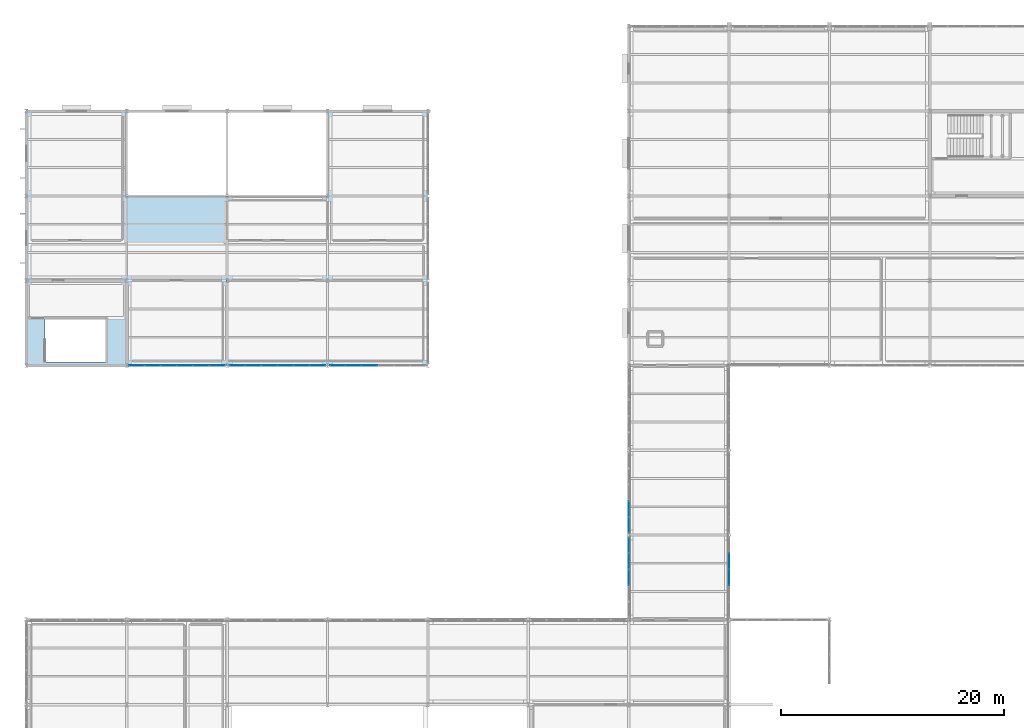
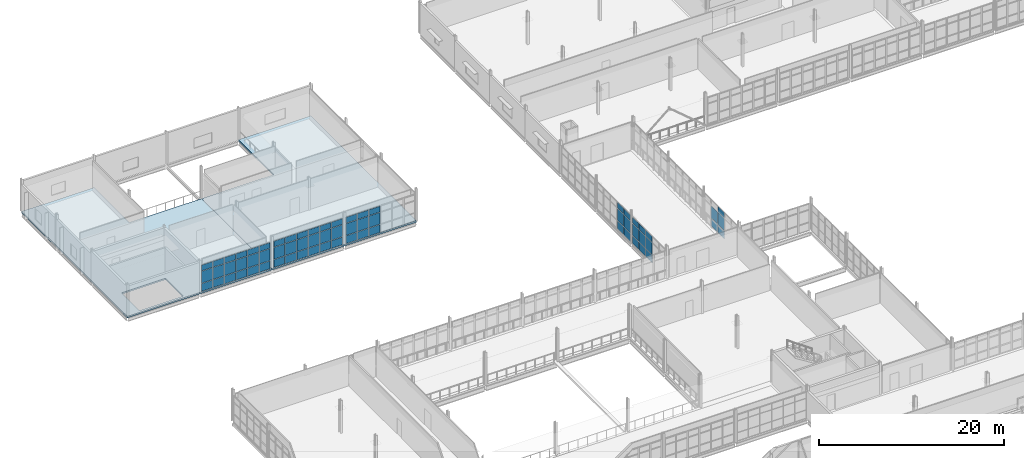
# One storey, part 135 of 174: 65 plates, 2 slabs, 6 elements without a shape of their own.
"""IFC4 building model written with IfcOpenShell, lengths in metres."""

from ifc_helpers import new_model, si_unit, direction, frame, origin, origin_2d, place, context, subcontext, project, spatial, polyline, rectangle, outline, extrude, material, layer, layer_set, type_object, element, aggregate, save


model = new_model("IFC4")

# Units and contexts
model_context = context("Model", 3, precision=1e-05, world=origin(), true_north=direction((0.0, 1.0)))
body_context = subcontext(model_context, "Body", "Model", "MODEL_VIEW")
ifc_project = project(units=[si_unit("LENGTHUNIT", "METRE"), si_unit("AREAUNIT", "SQUARE_METRE"), si_unit("VOLUMEUNIT", "CUBIC_METRE"), si_unit("PLANEANGLEUNIT", "RADIAN"), si_unit("MASSUNIT", "GRAM", prefix="KILO")], contexts=[model_context])

# Site, building, storey
site_placement = place(None, origin())
site = spatial("IfcSite", under=ifc_project, at=site_placement, CompositionType="ELEMENT")
building_placement = place(site_placement, origin())
building = spatial("IfcBuilding", under=site, at=building_placement, Name="Caisbarro Railhouse Central Library", CompositionType="ELEMENT")
storey_placement = place(building_placement, frame((0.0, 0.0, 5.0400390625)))
storey = spatial("IfcBuildingStorey", under=building, at=storey_placement, Name="L01", CompositionType="ELEMENT", Elevation=5.0400390625)

# Curtain wall, plates
ifc_material_1 = material(Name="Anodised architectural aluminium", Category="aluminium")
curtain_wall_type_1 = type_object("IfcCurtainWallType", Name="CW-CW03", PredefinedType="NOTDEFINED", material=ifc_material_1)
curtain_wall_1_placement = place(storey_placement, origin())
curtain_wall_1 = element("IfcCurtainWall", 1, at=curtain_wall_1_placement, inside=storey, type_object=curtain_wall_type_1, Name="CW03 curtain wall L01 #192", PredefinedType="NOTDEFINED")
ifc_material_2 = material(Name="Double low-e laminated solar-control glass", Category="glass")
ifc_layer_1 = layer(ifc_material_2, 0.01806640625, Name="Double low-e laminated solar-control glass")
ifc_layer_set_1 = layer_set([ifc_layer_1], Name="Double low-e laminated solar-control glass")
plate_type_1 = type_object("IfcPlateType", Name="CWP-CP18", PredefinedType="CURTAIN_PANEL", material=ifc_layer_set_1)
plate_1_placement = place(storey_placement, frame((54.0, 64.60009765625, 0.06494140625), z_axis=(0.0, 0.0, 1.0), x_axis=(0.0, 1.0, 0.0)))
plate_1 = element("IfcPlate", 2, at=plate_1_placement, type_object=plate_type_1, Name="CW03 panel 3.1", PredefinedType="CURTAIN_PANEL", context=body_context, shape_type="SweptSolid", body=[
    extrude(rectangle(XDim=1.39111328125, YDim=0.01806640625, at=origin_2d()), origin(), (0.0, 0.0, 1.0), 1.0224609375),
])
plate_2_placement = place(storey_placement, frame((54.0, 64.60009765625, 1.15234375), z_axis=(0.0, 0.0, 1.0), x_axis=(0.0, 1.0, 0.0)))
plate_2 = element("IfcPlate", 3, at=plate_2_placement, type_object=plate_type_1, Name="CW03 panel 3.2", PredefinedType="CURTAIN_PANEL", context=body_context, shape_type="SweptSolid", body=[
    extrude(rectangle(XDim=1.39111328125, YDim=0.01806640625, at=origin_2d()), origin(), (0.0, 0.0, 1.0), 1.574951171875),
])
plate_3_placement = place(storey_placement, frame((54.0, 64.60009765625, 2.79248046875), z_axis=(0.0, 0.0, 1.0), x_axis=(0.0, 1.0, 0.0)))
plate_3 = element("IfcPlate", 4, at=plate_3_placement, type_object=plate_type_1, Name="CW03 panel 3.3", PredefinedType="CURTAIN_PANEL", context=body_context, shape_type="SweptSolid", body=[
    extrude(rectangle(XDim=1.39111328125, YDim=0.01806640625, at=origin_2d()), origin(), (0.0, 0.0, 1.0), 0.75244140625),
])
plate_4_placement = place(storey_placement, frame((54.0, 66.055908203125, 0.06494140625), z_axis=(0.0, 0.0, 1.0), x_axis=(0.0, 1.0, 0.0)))
plate_4 = element("IfcPlate", 5, at=plate_4_placement, type_object=plate_type_1, Name="CW03 panel 4.1", PredefinedType="CURTAIN_PANEL", context=body_context, shape_type="SweptSolid", body=[
    extrude(rectangle(XDim=1.39111328125, YDim=0.01806640625, at=origin_2d()), origin(), (0.0, 0.0, 1.0), 1.0224609375),
])
plate_5_placement = place(storey_placement, frame((54.0, 66.055908203125, 1.15234375), z_axis=(0.0, 0.0, 1.0), x_axis=(0.0, 1.0, 0.0)))
plate_5 = element("IfcPlate", 6, at=plate_5_placement, type_object=plate_type_1, Name="CW03 panel 4.2", PredefinedType="CURTAIN_PANEL", context=body_context, shape_type="SweptSolid", body=[
    extrude(rectangle(XDim=1.39111328125, YDim=0.01806640625, at=origin_2d()), origin(), (0.0, 0.0, 1.0), 1.574951171875),
])
plate_6_placement = place(storey_placement, frame((54.0, 66.055908203125, 2.79248046875), z_axis=(0.0, 0.0, 1.0), x_axis=(0.0, 1.0, 0.0)))
plate_6 = element("IfcPlate", 7, at=plate_6_placement, type_object=plate_type_1, Name="CW03 panel 4.3", PredefinedType="CURTAIN_PANEL", context=body_context, shape_type="SweptSolid", body=[
    extrude(rectangle(XDim=1.39111328125, YDim=0.01806640625, at=origin_2d()), origin(), (0.0, 0.0, 1.0), 0.75244140625),
])
plate_7_placement = place(storey_placement, frame((54.0, 67.495849609375, 0.06494140625), z_axis=(0.0, 0.0, 1.0), x_axis=(0.0, 1.0, 0.0)))
plate_7 = element("IfcPlate", 8, at=plate_7_placement, type_object=plate_type_1, Name="CW03 panel 5.1", PredefinedType="CURTAIN_PANEL", context=body_context, shape_type="SweptSolid", body=[
    extrude(rectangle(XDim=1.3583984375, YDim=0.01806640625, at=origin_2d()), origin(), (0.0, 0.0, 1.0), 1.0224609375),
])
plate_8_placement = place(storey_placement, frame((54.0, 67.495849609375, 1.15234375), z_axis=(0.0, 0.0, 1.0), x_axis=(0.0, 1.0, 0.0)))
plate_8 = element("IfcPlate", 9, at=plate_8_placement, type_object=plate_type_1, Name="CW03 panel 5.2", PredefinedType="CURTAIN_PANEL", context=body_context, shape_type="SweptSolid", body=[
    extrude(rectangle(XDim=1.3583984375, YDim=0.01806640625, at=origin_2d()), origin(), (0.0, 0.0, 1.0), 1.574951171875),
])
plate_9_placement = place(storey_placement, frame((54.0, 67.495849609375, 2.79248046875), z_axis=(0.0, 0.0, 1.0), x_axis=(0.0, 1.0, 0.0)))
plate_9 = element("IfcPlate", 10, at=plate_9_placement, type_object=plate_type_1, Name="CW03 panel 5.3", PredefinedType="CURTAIN_PANEL", context=body_context, shape_type="SweptSolid", body=[
    extrude(rectangle(XDim=1.3583984375, YDim=0.01806640625, at=origin_2d()), origin(), (0.0, 0.0, 1.0), 0.75244140625),
])
aggregate(curtain_wall_1, [plate_1, plate_2, plate_3, plate_4, plate_5, plate_6, plate_7, plate_8, plate_9])

curtain_wall_2_placement = place(storey_placement, origin())
curtain_wall_2 = element("IfcCurtainWall", 11, at=curtain_wall_2_placement, inside=storey, type_object=curtain_wall_type_1, Name="CW03 curtain wall L01 #193", PredefinedType="NOTDEFINED")
plate_10_placement = place(storey_placement, frame((63.0, 64.60009765625, 0.06494140625), z_axis=(0.0, 0.0, 1.0), x_axis=(0.0, 1.0, 0.0)))
plate_10 = element("IfcPlate", 12, at=plate_10_placement, type_object=plate_type_1, Name="CW03 panel 3.1", PredefinedType="CURTAIN_PANEL", context=body_context, shape_type="SweptSolid", body=[
    extrude(rectangle(XDim=1.39111328125, YDim=0.01806640625, at=origin_2d()), origin(), (0.0, 0.0, 1.0), 1.0224609375),
])
plate_11_placement = place(storey_placement, frame((63.0, 64.60009765625, 1.15234375), z_axis=(0.0, 0.0, 1.0), x_axis=(0.0, 1.0, 0.0)))
plate_11 = element("IfcPlate", 13, at=plate_11_placement, type_object=plate_type_1, Name="CW03 panel 3.2", PredefinedType="CURTAIN_PANEL", context=body_context, shape_type="SweptSolid", body=[
    extrude(rectangle(XDim=1.39111328125, YDim=0.01806640625, at=origin_2d()), origin(), (0.0, 0.0, 1.0), 1.574951171875),
])
plate_12_placement = place(storey_placement, frame((63.0, 64.60009765625, 2.79248046875), z_axis=(0.0, 0.0, 1.0), x_axis=(0.0, 1.0, 0.0)))
plate_12 = element("IfcPlate", 14, at=plate_12_placement, type_object=plate_type_1, Name="CW03 panel 3.3", PredefinedType="CURTAIN_PANEL", context=body_context, shape_type="SweptSolid", body=[
    extrude(rectangle(XDim=1.39111328125, YDim=0.01806640625, at=origin_2d()), origin(), (0.0, 0.0, 1.0), 0.75244140625),
])
plate_13_placement = place(storey_placement, frame((63.0, 66.055908203125, 0.06494140625), z_axis=(0.0, 0.0, 1.0), x_axis=(0.0, 1.0, 0.0)))
plate_13 = element("IfcPlate", 15, at=plate_13_placement, type_object=plate_type_1, Name="CW03 panel 4.1", PredefinedType="CURTAIN_PANEL", context=body_context, shape_type="SweptSolid", body=[
    extrude(rectangle(XDim=1.39111328125, YDim=0.01806640625, at=origin_2d()), origin(), (0.0, 0.0, 1.0), 1.0224609375),
])
plate_14_placement = place(storey_placement, frame((63.0, 66.055908203125, 1.15234375), z_axis=(0.0, 0.0, 1.0), x_axis=(0.0, 1.0, 0.0)))
plate_14 = element("IfcPlate", 16, at=plate_14_placement, type_object=plate_type_1, Name="CW03 panel 4.2", PredefinedType="CURTAIN_PANEL", context=body_context, shape_type="SweptSolid", body=[
    extrude(rectangle(XDim=1.39111328125, YDim=0.01806640625, at=origin_2d()), origin(), (0.0, 0.0, 1.0), 1.574951171875),
])
aggregate(curtain_wall_2, [plate_10, plate_11, plate_12, plate_13, plate_14])

curtain_wall_3_placement = place(storey_placement, origin())
curtain_wall_3 = element("IfcCurtainWall", 17, at=curtain_wall_3_placement, inside=storey, type_object=curtain_wall_type_1, Name="CW03 curtain wall L01 #194", PredefinedType="NOTDEFINED")
plate_15_placement = place(storey_placement, frame((54.0, 69.30419921875, 0.06494140625), z_axis=(0.0, 0.0, 1.0), x_axis=(0.0, 1.0, 0.0)))
plate_15 = element("IfcPlate", 18, at=plate_15_placement, type_object=plate_type_1, Name="CW03 panel 1.1", PredefinedType="CURTAIN_PANEL", context=body_context, shape_type="SweptSolid", body=[
    extrude(rectangle(XDim=1.3583984375, YDim=0.01806640625, at=origin_2d()), origin(), (0.0, 0.0, 1.0), 1.0224609375),
])
plate_16_placement = place(storey_placement, frame((54.0, 69.30419921875, 1.15234375), z_axis=(0.0, 0.0, 1.0), x_axis=(0.0, 1.0, 0.0)))
plate_16 = element("IfcPlate", 19, at=plate_16_placement, type_object=plate_type_1, Name="CW03 panel 1.2", PredefinedType="CURTAIN_PANEL", context=body_context, shape_type="SweptSolid", body=[
    extrude(rectangle(XDim=1.3583984375, YDim=0.01806640625, at=origin_2d()), origin(), (0.0, 0.0, 1.0), 1.574951171875),
])
plate_17_placement = place(storey_placement, frame((54.0, 69.30419921875, 2.79248046875), z_axis=(0.0, 0.0, 1.0), x_axis=(0.0, 1.0, 0.0)))
plate_17 = element("IfcPlate", 20, at=plate_17_placement, type_object=plate_type_1, Name="CW03 panel 1.3", PredefinedType="CURTAIN_PANEL", context=body_context, shape_type="SweptSolid", body=[
    extrude(rectangle(XDim=1.3583984375, YDim=0.01806640625, at=origin_2d()), origin(), (0.0, 0.0, 1.0), 0.75244140625),
])
plate_18_placement = place(storey_placement, frame((54.0, 70.743896484375, 0.06494140625), z_axis=(0.0, 0.0, 1.0), x_axis=(0.0, 1.0, 0.0)))
plate_18 = element("IfcPlate", 21, at=plate_18_placement, type_object=plate_type_1, Name="CW03 panel 2.1", PredefinedType="CURTAIN_PANEL", context=body_context, shape_type="SweptSolid", body=[
    extrude(rectangle(XDim=1.39111328125, YDim=0.01806640625, at=origin_2d()), origin(), (0.0, 0.0, 1.0), 1.0224609375),
])
plate_19_placement = place(storey_placement, frame((54.0, 70.743896484375, 1.15234375), z_axis=(0.0, 0.0, 1.0), x_axis=(0.0, 1.0, 0.0)))
plate_19 = element("IfcPlate", 22, at=plate_19_placement, type_object=plate_type_1, Name="CW03 panel 2.2", PredefinedType="CURTAIN_PANEL", context=body_context, shape_type="SweptSolid", body=[
    extrude(rectangle(XDim=1.39111328125, YDim=0.01806640625, at=origin_2d()), origin(), (0.0, 0.0, 1.0), 1.574951171875),
])
plate_20_placement = place(storey_placement, frame((54.0, 70.743896484375, 2.79248046875), z_axis=(0.0, 0.0, 1.0), x_axis=(0.0, 1.0, 0.0)))
plate_20 = element("IfcPlate", 23, at=plate_20_placement, type_object=plate_type_1, Name="CW03 panel 2.3", PredefinedType="CURTAIN_PANEL", context=body_context, shape_type="SweptSolid", body=[
    extrude(rectangle(XDim=1.39111328125, YDim=0.01806640625, at=origin_2d()), origin(), (0.0, 0.0, 1.0), 0.75244140625),
])
aggregate(curtain_wall_3, [plate_15, plate_16, plate_17, plate_18, plate_19, plate_20])

curtain_wall_type_2 = type_object("IfcCurtainWallType", Name="CW-CW02", PredefinedType="NOTDEFINED", material=ifc_material_1)
curtain_wall_4_placement = place(storey_placement, origin())
curtain_wall_4 = element("IfcCurtainWall", 24, at=curtain_wall_4_placement, inside=storey, type_object=curtain_wall_type_2, Name="CW02 curtain wall L01 #80", PredefinedType="NOTDEFINED")
ifc_layer_2 = layer(ifc_material_2, 0.028076171875, Name="Double low-e laminated solar-control glass")
ifc_layer_set_2 = layer_set([ifc_layer_2], Name="Double low-e laminated solar-control glass")
plate_type_2 = type_object("IfcPlateType", Name="CWP-CP28", PredefinedType="CURTAIN_PANEL", material=ifc_layer_set_2)
plate_21_placement = place(storey_placement, frame((9.899658203125, 83.60009765625, 0.06494140625), z_axis=(0.0, 0.0, 1.0), x_axis=(1.0, 0.0, 0.0)))
plate_21 = element("IfcPlate", 25, at=plate_21_placement, type_object=plate_type_2, Name="CW02 panel 1.1", PredefinedType="CURTAIN_PANEL", context=body_context, shape_type="SweptSolid", body=[
    extrude(rectangle(XDim=1.34912109375, YDim=0.028076171875, at=origin_2d()), origin(), (0.0, 0.0, 1.0), 1.0224609375),
])
plate_22_placement = place(storey_placement, frame((9.899658203125, 83.60009765625, 1.152587890625), z_axis=(0.0, 0.0, 1.0), x_axis=(1.0, 0.0, 0.0)))
plate_22 = element("IfcPlate", 26, at=plate_22_placement, type_object=plate_type_2, Name="CW02 panel 1.2", PredefinedType="CURTAIN_PANEL", context=body_context, shape_type="SweptSolid", body=[
    extrude(rectangle(XDim=1.34912109375, YDim=0.028076171875, at=origin_2d()), origin(), (0.0, 0.0, 1.0), 1.544921875),
])
plate_23_placement = place(storey_placement, frame((9.899658203125, 83.60009765625, 2.762451171875), z_axis=(0.0, 0.0, 1.0), x_axis=(1.0, 0.0, 0.0)))
plate_23 = element("IfcPlate", 27, at=plate_23_placement, type_object=plate_type_2, Name="CW02 panel 1.3", PredefinedType="CURTAIN_PANEL", context=body_context, shape_type="SweptSolid", body=[
    extrude(rectangle(XDim=1.34912109375, YDim=0.028076171875, at=origin_2d()), origin(), (0.0, 0.0, 1.0), 0.75244140625),
])
plate_24_placement = place(storey_placement, frame((11.330078125, 83.60009765625, 0.06494140625), z_axis=(0.0, 0.0, 1.0), x_axis=(1.0, 0.0, 0.0)))
plate_24 = element("IfcPlate", 28, at=plate_24_placement, type_object=plate_type_2, Name="CW02 panel 2.1", PredefinedType="CURTAIN_PANEL", context=body_context, shape_type="SweptSolid", body=[
    extrude(rectangle(XDim=1.381591796875, YDim=0.028076171875, at=origin_2d()), origin(), (0.0, 0.0, 1.0), 1.0224609375),
])
plate_25_placement = place(storey_placement, frame((11.330078125, 83.60009765625, 1.152587890625), z_axis=(0.0, 0.0, 1.0), x_axis=(1.0, 0.0, 0.0)))
plate_25 = element("IfcPlate", 29, at=plate_25_placement, type_object=plate_type_2, Name="CW02 panel 2.2", PredefinedType="CURTAIN_PANEL", context=body_context, shape_type="SweptSolid", body=[
    extrude(rectangle(XDim=1.381591796875, YDim=0.028076171875, at=origin_2d()), origin(), (0.0, 0.0, 1.0), 1.544921875),
])
plate_26_placement = place(storey_placement, frame((11.330078125, 83.60009765625, 2.762451171875), z_axis=(0.0, 0.0, 1.0), x_axis=(1.0, 0.0, 0.0)))
plate_26 = element("IfcPlate", 30, at=plate_26_placement, type_object=plate_type_2, Name="CW02 panel 2.3", PredefinedType="CURTAIN_PANEL", context=body_context, shape_type="SweptSolid", body=[
    extrude(rectangle(XDim=1.381591796875, YDim=0.028076171875, at=origin_2d()), origin(), (0.0, 0.0, 1.0), 0.75244140625),
])
plate_27_placement = place(storey_placement, frame((12.776611328125, 83.60009765625, 0.06494140625), z_axis=(0.0, 0.0, 1.0), x_axis=(1.0, 0.0, 0.0)))
plate_27 = element("IfcPlate", 31, at=plate_27_placement, type_object=plate_type_2, Name="CW02 panel 3.1", PredefinedType="CURTAIN_PANEL", context=body_context, shape_type="SweptSolid", body=[
    extrude(rectangle(XDim=1.381591796875, YDim=0.028076171875, at=origin_2d()), origin(), (0.0, 0.0, 1.0), 1.0224609375),
])
plate_28_placement = place(storey_placement, frame((12.776611328125, 83.60009765625, 1.152587890625), z_axis=(0.0, 0.0, 1.0), x_axis=(1.0, 0.0, 0.0)))
plate_28 = element("IfcPlate", 32, at=plate_28_placement, type_object=plate_type_2, Name="CW02 panel 3.2", PredefinedType="CURTAIN_PANEL", context=body_context, shape_type="SweptSolid", body=[
    extrude(rectangle(XDim=1.381591796875, YDim=0.028076171875, at=origin_2d()), origin(), (0.0, 0.0, 1.0), 1.544921875),
])
plate_29_placement = place(storey_placement, frame((12.776611328125, 83.60009765625, 2.762451171875), z_axis=(0.0, 0.0, 1.0), x_axis=(1.0, 0.0, 0.0)))
plate_29 = element("IfcPlate", 33, at=plate_29_placement, type_object=plate_type_2, Name="CW02 panel 3.3", PredefinedType="CURTAIN_PANEL", context=body_context, shape_type="SweptSolid", body=[
    extrude(rectangle(XDim=1.381591796875, YDim=0.028076171875, at=origin_2d()), origin(), (0.0, 0.0, 1.0), 0.75244140625),
])
plate_30_placement = place(storey_placement, frame((14.223388671875, 83.60009765625, 0.06494140625), z_axis=(0.0, 0.0, 1.0), x_axis=(1.0, 0.0, 0.0)))
plate_30 = element("IfcPlate", 34, at=plate_30_placement, type_object=plate_type_2, Name="CW02 panel 4.1", PredefinedType="CURTAIN_PANEL", context=body_context, shape_type="SweptSolid", body=[
    extrude(rectangle(XDim=1.381591796875, YDim=0.028076171875, at=origin_2d()), origin(), (0.0, 0.0, 1.0), 1.0224609375),
])
plate_31_placement = place(storey_placement, frame((14.223388671875, 83.60009765625, 1.152587890625), z_axis=(0.0, 0.0, 1.0), x_axis=(1.0, 0.0, 0.0)))
plate_31 = element("IfcPlate", 35, at=plate_31_placement, type_object=plate_type_2, Name="CW02 panel 4.2", PredefinedType="CURTAIN_PANEL", context=body_context, shape_type="SweptSolid", body=[
    extrude(rectangle(XDim=1.381591796875, YDim=0.028076171875, at=origin_2d()), origin(), (0.0, 0.0, 1.0), 1.544921875),
])
plate_32_placement = place(storey_placement, frame((14.223388671875, 83.60009765625, 2.762451171875), z_axis=(0.0, 0.0, 1.0), x_axis=(1.0, 0.0, 0.0)))
plate_32 = element("IfcPlate", 36, at=plate_32_placement, type_object=plate_type_2, Name="CW02 panel 4.3", PredefinedType="CURTAIN_PANEL", context=body_context, shape_type="SweptSolid", body=[
    extrude(rectangle(XDim=1.381591796875, YDim=0.028076171875, at=origin_2d()), origin(), (0.0, 0.0, 1.0), 0.75244140625),
])
plate_33_placement = place(storey_placement, frame((15.669921875, 83.60009765625, 0.06494140625), z_axis=(0.0, 0.0, 1.0), x_axis=(1.0, 0.0, 0.0)))
plate_33 = element("IfcPlate", 37, at=plate_33_placement, type_object=plate_type_2, Name="CW02 panel 5.1", PredefinedType="CURTAIN_PANEL", context=body_context, shape_type="SweptSolid", body=[
    extrude(rectangle(XDim=1.381591796875, YDim=0.028076171875, at=origin_2d()), origin(), (0.0, 0.0, 1.0), 1.0224609375),
])
plate_34_placement = place(storey_placement, frame((15.669921875, 83.60009765625, 1.152587890625), z_axis=(0.0, 0.0, 1.0), x_axis=(1.0, 0.0, 0.0)))
plate_34 = element("IfcPlate", 38, at=plate_34_placement, type_object=plate_type_2, Name="CW02 panel 5.2", PredefinedType="CURTAIN_PANEL", context=body_context, shape_type="SweptSolid", body=[
    extrude(rectangle(XDim=1.381591796875, YDim=0.028076171875, at=origin_2d()), origin(), (0.0, 0.0, 1.0), 1.544921875),
])
plate_35_placement = place(storey_placement, frame((15.669921875, 83.60009765625, 2.762451171875), z_axis=(0.0, 0.0, 1.0), x_axis=(1.0, 0.0, 0.0)))
plate_35 = element("IfcPlate", 39, at=plate_35_placement, type_object=plate_type_2, Name="CW02 panel 5.3", PredefinedType="CURTAIN_PANEL", context=body_context, shape_type="SweptSolid", body=[
    extrude(rectangle(XDim=1.381591796875, YDim=0.028076171875, at=origin_2d()), origin(), (0.0, 0.0, 1.0), 0.75244140625),
])
plate_36_placement = place(storey_placement, frame((17.100341796875, 83.60009765625, 0.06494140625), z_axis=(0.0, 0.0, 1.0), x_axis=(1.0, 0.0, 0.0)))
plate_36 = element("IfcPlate", 40, at=plate_36_placement, type_object=plate_type_2, Name="CW02 panel 6.1", PredefinedType="CURTAIN_PANEL", context=body_context, shape_type="SweptSolid", body=[
    extrude(rectangle(XDim=1.34912109375, YDim=0.028076171875, at=origin_2d()), origin(), (0.0, 0.0, 1.0), 1.0224609375),
])
plate_37_placement = place(storey_placement, frame((17.100341796875, 83.60009765625, 1.152587890625), z_axis=(0.0, 0.0, 1.0), x_axis=(1.0, 0.0, 0.0)))
plate_37 = element("IfcPlate", 41, at=plate_37_placement, type_object=plate_type_2, Name="CW02 panel 6.2", PredefinedType="CURTAIN_PANEL", context=body_context, shape_type="SweptSolid", body=[
    extrude(rectangle(XDim=1.34912109375, YDim=0.028076171875, at=origin_2d()), origin(), (0.0, 0.0, 1.0), 1.544921875),
])
plate_38_placement = place(storey_placement, frame((17.100341796875, 83.60009765625, 2.762451171875), z_axis=(0.0, 0.0, 1.0), x_axis=(1.0, 0.0, 0.0)))
plate_38 = element("IfcPlate", 42, at=plate_38_placement, type_object=plate_type_2, Name="CW02 panel 6.3", PredefinedType="CURTAIN_PANEL", context=body_context, shape_type="SweptSolid", body=[
    extrude(rectangle(XDim=1.34912109375, YDim=0.028076171875, at=origin_2d()), origin(), (0.0, 0.0, 1.0), 0.75244140625),
])
aggregate(curtain_wall_4, [plate_21, plate_22, plate_23, plate_24, plate_25, plate_26, plate_27, plate_28, plate_29, plate_30, plate_31, plate_32, plate_33, plate_34, plate_35, plate_36, plate_37, plate_38])

curtain_wall_5_placement = place(storey_placement, origin())
curtain_wall_5 = element("IfcCurtainWall", 43, at=curtain_wall_5_placement, inside=storey, type_object=curtain_wall_type_2, Name="CW02 curtain wall L01 #81", PredefinedType="NOTDEFINED")
ifc_layer_3 = layer(ifc_material_2, 0.0380859375, Name="Double low-e laminated solar-control glass")
ifc_layer_set_3 = layer_set([ifc_layer_3], Name="Double low-e laminated solar-control glass")
plate_type_3 = type_object("IfcPlateType", Name="CWP-CP38", PredefinedType="CURTAIN_PANEL", material=ifc_layer_set_3)
plate_39_placement = place(storey_placement, frame((18.899658203125, 83.60009765625, 0.06494140625), z_axis=(0.0, 0.0, 1.0), x_axis=(1.0, 0.0, 0.0)))
plate_39 = element("IfcPlate", 44, at=plate_39_placement, type_object=plate_type_3, Name="CW02 panel 1.1", PredefinedType="CURTAIN_PANEL", context=body_context, shape_type="SweptSolid", body=[
    extrude(rectangle(XDim=1.34912109375, YDim=0.0380859375, at=origin_2d()), origin(), (0.0, 0.0, 1.0), 1.0224609375),
])
plate_40_placement = place(storey_placement, frame((18.899658203125, 83.60009765625, 1.152587890625), z_axis=(0.0, 0.0, 1.0), x_axis=(1.0, 0.0, 0.0)))
plate_40 = element("IfcPlate", 45, at=plate_40_placement, type_object=plate_type_3, Name="CW02 panel 1.2", PredefinedType="CURTAIN_PANEL", context=body_context, shape_type="SweptSolid", body=[
    extrude(rectangle(XDim=1.34912109375, YDim=0.0380859375, at=origin_2d()), origin(), (0.0, 0.0, 1.0), 1.544921875),
])
plate_41_placement = place(storey_placement, frame((18.899658203125, 83.60009765625, 2.762451171875), z_axis=(0.0, 0.0, 1.0), x_axis=(1.0, 0.0, 0.0)))
plate_41 = element("IfcPlate", 46, at=plate_41_placement, type_object=plate_type_3, Name="CW02 panel 1.3", PredefinedType="CURTAIN_PANEL", context=body_context, shape_type="SweptSolid", body=[
    extrude(rectangle(XDim=1.34912109375, YDim=0.0380859375, at=origin_2d()), origin(), (0.0, 0.0, 1.0), 0.75244140625),
])
plate_42_placement = place(storey_placement, frame((20.330078125, 83.60009765625, 0.06494140625), z_axis=(0.0, 0.0, 1.0), x_axis=(1.0, 0.0, 0.0)))
plate_42 = element("IfcPlate", 47, at=plate_42_placement, type_object=plate_type_3, Name="CW02 panel 2.1", PredefinedType="CURTAIN_PANEL", context=body_context, shape_type="SweptSolid", body=[
    extrude(rectangle(XDim=1.381591796875, YDim=0.0380859375, at=origin_2d()), origin(), (0.0, 0.0, 1.0), 1.0224609375),
])
plate_43_placement = place(storey_placement, frame((20.330078125, 83.60009765625, 1.152587890625), z_axis=(0.0, 0.0, 1.0), x_axis=(1.0, 0.0, 0.0)))
plate_43 = element("IfcPlate", 48, at=plate_43_placement, type_object=plate_type_3, Name="CW02 panel 2.2", PredefinedType="CURTAIN_PANEL", context=body_context, shape_type="SweptSolid", body=[
    extrude(rectangle(XDim=1.381591796875, YDim=0.0380859375, at=origin_2d()), origin(), (0.0, 0.0, 1.0), 1.544921875),
])
plate_44_placement = place(storey_placement, frame((20.330078125, 83.60009765625, 2.762451171875), z_axis=(0.0, 0.0, 1.0), x_axis=(1.0, 0.0, 0.0)))
plate_44 = element("IfcPlate", 49, at=plate_44_placement, type_object=plate_type_3, Name="CW02 panel 2.3", PredefinedType="CURTAIN_PANEL", context=body_context, shape_type="SweptSolid", body=[
    extrude(rectangle(XDim=1.381591796875, YDim=0.0380859375, at=origin_2d()), origin(), (0.0, 0.0, 1.0), 0.75244140625),
])
plate_45_placement = place(storey_placement, frame((21.776611328125, 83.60009765625, 0.06494140625), z_axis=(0.0, 0.0, 1.0), x_axis=(1.0, 0.0, 0.0)))
plate_45 = element("IfcPlate", 50, at=plate_45_placement, type_object=plate_type_3, Name="CW02 panel 3.1", PredefinedType="CURTAIN_PANEL", context=body_context, shape_type="SweptSolid", body=[
    extrude(rectangle(XDim=1.381591796875, YDim=0.0380859375, at=origin_2d()), origin(), (0.0, 0.0, 1.0), 1.0224609375),
])
plate_46_placement = place(storey_placement, frame((21.776611328125, 83.60009765625, 1.152587890625), z_axis=(0.0, 0.0, 1.0), x_axis=(1.0, 0.0, 0.0)))
plate_46 = element("IfcPlate", 51, at=plate_46_placement, type_object=plate_type_3, Name="CW02 panel 3.2", PredefinedType="CURTAIN_PANEL", context=body_context, shape_type="SweptSolid", body=[
    extrude(rectangle(XDim=1.381591796875, YDim=0.0380859375, at=origin_2d()), origin(), (0.0, 0.0, 1.0), 1.544921875),
])
plate_47_placement = place(storey_placement, frame((21.776611328125, 83.60009765625, 2.762451171875), z_axis=(0.0, 0.0, 1.0), x_axis=(1.0, 0.0, 0.0)))
plate_47 = element("IfcPlate", 52, at=plate_47_placement, type_object=plate_type_3, Name="CW02 panel 3.3", PredefinedType="CURTAIN_PANEL", context=body_context, shape_type="SweptSolid", body=[
    extrude(rectangle(XDim=1.381591796875, YDim=0.0380859375, at=origin_2d()), origin(), (0.0, 0.0, 1.0), 0.75244140625),
])
plate_48_placement = place(storey_placement, frame((23.223388671875, 83.60009765625, 0.06494140625), z_axis=(0.0, 0.0, 1.0), x_axis=(1.0, 0.0, 0.0)))
plate_48 = element("IfcPlate", 53, at=plate_48_placement, type_object=plate_type_3, Name="CW02 panel 4.1", PredefinedType="CURTAIN_PANEL", context=body_context, shape_type="SweptSolid", body=[
    extrude(rectangle(XDim=1.381591796875, YDim=0.0380859375, at=origin_2d()), origin(), (0.0, 0.0, 1.0), 1.0224609375),
])
plate_49_placement = place(storey_placement, frame((23.223388671875, 83.60009765625, 1.152587890625), z_axis=(0.0, 0.0, 1.0), x_axis=(1.0, 0.0, 0.0)))
plate_49 = element("IfcPlate", 54, at=plate_49_placement, type_object=plate_type_3, Name="CW02 panel 4.2", PredefinedType="CURTAIN_PANEL", context=body_context, shape_type="SweptSolid", body=[
    extrude(rectangle(XDim=1.381591796875, YDim=0.0380859375, at=origin_2d()), origin(), (0.0, 0.0, 1.0), 1.544921875),
])
plate_50_placement = place(storey_placement, frame((23.223388671875, 83.60009765625, 2.762451171875), z_axis=(0.0, 0.0, 1.0), x_axis=(1.0, 0.0, 0.0)))
plate_50 = element("IfcPlate", 55, at=plate_50_placement, type_object=plate_type_3, Name="CW02 panel 4.3", PredefinedType="CURTAIN_PANEL", context=body_context, shape_type="SweptSolid", body=[
    extrude(rectangle(XDim=1.381591796875, YDim=0.0380859375, at=origin_2d()), origin(), (0.0, 0.0, 1.0), 0.75244140625),
])
plate_51_placement = place(storey_placement, frame((24.669921875, 83.60009765625, 0.06494140625), z_axis=(0.0, 0.0, 1.0), x_axis=(1.0, 0.0, 0.0)))
plate_51 = element("IfcPlate", 56, at=plate_51_placement, type_object=plate_type_3, Name="CW02 panel 5.1", PredefinedType="CURTAIN_PANEL", context=body_context, shape_type="SweptSolid", body=[
    extrude(rectangle(XDim=1.381591796875, YDim=0.0380859375, at=origin_2d()), origin(), (0.0, 0.0, 1.0), 1.0224609375),
])
plate_52_placement = place(storey_placement, frame((24.669921875, 83.60009765625, 1.152587890625), z_axis=(0.0, 0.0, 1.0), x_axis=(1.0, 0.0, 0.0)))
plate_52 = element("IfcPlate", 57, at=plate_52_placement, type_object=plate_type_3, Name="CW02 panel 5.2", PredefinedType="CURTAIN_PANEL", context=body_context, shape_type="SweptSolid", body=[
    extrude(rectangle(XDim=1.381591796875, YDim=0.0380859375, at=origin_2d()), origin(), (0.0, 0.0, 1.0), 1.544921875),
])
plate_53_placement = place(storey_placement, frame((24.669921875, 83.60009765625, 2.762451171875), z_axis=(0.0, 0.0, 1.0), x_axis=(1.0, 0.0, 0.0)))
plate_53 = element("IfcPlate", 58, at=plate_53_placement, type_object=plate_type_3, Name="CW02 panel 5.3", PredefinedType="CURTAIN_PANEL", context=body_context, shape_type="SweptSolid", body=[
    extrude(rectangle(XDim=1.381591796875, YDim=0.0380859375, at=origin_2d()), origin(), (0.0, 0.0, 1.0), 0.75244140625),
])
plate_54_placement = place(storey_placement, frame((26.100341796875, 83.60009765625, 0.06494140625), z_axis=(0.0, 0.0, 1.0), x_axis=(1.0, 0.0, 0.0)))
plate_54 = element("IfcPlate", 59, at=plate_54_placement, type_object=plate_type_3, Name="CW02 panel 6.1", PredefinedType="CURTAIN_PANEL", context=body_context, shape_type="SweptSolid", body=[
    extrude(rectangle(XDim=1.34912109375, YDim=0.0380859375, at=origin_2d()), origin(), (0.0, 0.0, 1.0), 1.0224609375),
])
plate_55_placement = place(storey_placement, frame((26.100341796875, 83.60009765625, 1.152587890625), z_axis=(0.0, 0.0, 1.0), x_axis=(1.0, 0.0, 0.0)))
plate_55 = element("IfcPlate", 60, at=plate_55_placement, type_object=plate_type_3, Name="CW02 panel 6.2", PredefinedType="CURTAIN_PANEL", context=body_context, shape_type="SweptSolid", body=[
    extrude(rectangle(XDim=1.34912109375, YDim=0.0380859375, at=origin_2d()), origin(), (0.0, 0.0, 1.0), 1.544921875),
])
plate_56_placement = place(storey_placement, frame((26.100341796875, 83.60009765625, 2.762451171875), z_axis=(0.0, 0.0, 1.0), x_axis=(1.0, 0.0, 0.0)))
plate_56 = element("IfcPlate", 61, at=plate_56_placement, type_object=plate_type_3, Name="CW02 panel 6.3", PredefinedType="CURTAIN_PANEL", context=body_context, shape_type="SweptSolid", body=[
    extrude(rectangle(XDim=1.34912109375, YDim=0.0380859375, at=origin_2d()), origin(), (0.0, 0.0, 1.0), 0.75244140625),
])
aggregate(curtain_wall_5, [plate_39, plate_40, plate_41, plate_42, plate_43, plate_44, plate_45, plate_46, plate_47, plate_48, plate_49, plate_50, plate_51, plate_52, plate_53, plate_54, plate_55, plate_56])

curtain_wall_6_placement = place(storey_placement, origin())
curtain_wall_6 = element("IfcCurtainWall", 62, at=curtain_wall_6_placement, inside=storey, type_object=curtain_wall_type_2, Name="CW02 curtain wall L01 #82", PredefinedType="NOTDEFINED")
ifc_layer_4 = layer(ifc_material_2, 0.048095703125, Name="Double low-e laminated solar-control glass")
ifc_layer_set_4 = layer_set([ifc_layer_4], Name="Double low-e laminated solar-control glass")
plate_type_4 = type_object("IfcPlateType", Name="CWP-CP48", PredefinedType="CURTAIN_PANEL", material=ifc_layer_set_4)
plate_57_placement = place(storey_placement, frame((27.899658203125, 83.60009765625, 0.06494140625), z_axis=(0.0, 0.0, 1.0), x_axis=(1.0, 0.0, 0.0)))
plate_57 = element("IfcPlate", 63, at=plate_57_placement, type_object=plate_type_4, Name="CW02 panel 1.1", PredefinedType="CURTAIN_PANEL", context=body_context, shape_type="SweptSolid", body=[
    extrude(rectangle(XDim=1.34912109375, YDim=0.048095703125, at=origin_2d()), origin(), (0.0, 0.0, 1.0), 1.0224609375),
])
plate_58_placement = place(storey_placement, frame((27.899658203125, 83.60009765625, 1.152587890625), z_axis=(0.0, 0.0, 1.0), x_axis=(1.0, 0.0, 0.0)))
plate_58 = element("IfcPlate", 64, at=plate_58_placement, type_object=plate_type_4, Name="CW02 panel 1.2", PredefinedType="CURTAIN_PANEL", context=body_context, shape_type="SweptSolid", body=[
    extrude(rectangle(XDim=1.34912109375, YDim=0.048095703125, at=origin_2d()), origin(), (0.0, 0.0, 1.0), 1.544921875),
])
plate_59_placement = place(storey_placement, frame((27.899658203125, 83.60009765625, 2.762451171875), z_axis=(0.0, 0.0, 1.0), x_axis=(1.0, 0.0, 0.0)))
plate_59 = element("IfcPlate", 65, at=plate_59_placement, type_object=plate_type_4, Name="CW02 panel 1.3", PredefinedType="CURTAIN_PANEL", context=body_context, shape_type="SweptSolid", body=[
    extrude(rectangle(XDim=1.34912109375, YDim=0.048095703125, at=origin_2d()), origin(), (0.0, 0.0, 1.0), 0.75244140625),
])
plate_60_placement = place(storey_placement, frame((29.330078125, 83.60009765625, 0.06494140625), z_axis=(0.0, 0.0, 1.0), x_axis=(1.0, 0.0, 0.0)))
plate_60 = element("IfcPlate", 66, at=plate_60_placement, type_object=plate_type_4, Name="CW02 panel 2.1", PredefinedType="CURTAIN_PANEL", context=body_context, shape_type="SweptSolid", body=[
    extrude(rectangle(XDim=1.381591796875, YDim=0.048095703125, at=origin_2d()), origin(), (0.0, 0.0, 1.0), 1.0224609375),
])
plate_61_placement = place(storey_placement, frame((29.330078125, 83.60009765625, 1.152587890625), z_axis=(0.0, 0.0, 1.0), x_axis=(1.0, 0.0, 0.0)))
plate_61 = element("IfcPlate", 67, at=plate_61_placement, type_object=plate_type_4, Name="CW02 panel 2.2", PredefinedType="CURTAIN_PANEL", context=body_context, shape_type="SweptSolid", body=[
    extrude(rectangle(XDim=1.381591796875, YDim=0.048095703125, at=origin_2d()), origin(), (0.0, 0.0, 1.0), 1.544921875),
])
plate_62_placement = place(storey_placement, frame((29.330078125, 83.60009765625, 2.762451171875), z_axis=(0.0, 0.0, 1.0), x_axis=(1.0, 0.0, 0.0)))
plate_62 = element("IfcPlate", 68, at=plate_62_placement, type_object=plate_type_4, Name="CW02 panel 2.3", PredefinedType="CURTAIN_PANEL", context=body_context, shape_type="SweptSolid", body=[
    extrude(rectangle(XDim=1.381591796875, YDim=0.048095703125, at=origin_2d()), origin(), (0.0, 0.0, 1.0), 0.75244140625),
])
plate_63_placement = place(storey_placement, frame((30.776611328125, 83.60009765625, 0.06494140625), z_axis=(0.0, 0.0, 1.0), x_axis=(1.0, 0.0, 0.0)))
plate_63 = element("IfcPlate", 69, at=plate_63_placement, type_object=plate_type_4, Name="CW02 panel 3.1", PredefinedType="CURTAIN_PANEL", context=body_context, shape_type="SweptSolid", body=[
    extrude(rectangle(XDim=1.381591796875, YDim=0.048095703125, at=origin_2d()), origin(), (0.0, 0.0, 1.0), 1.0224609375),
])
plate_64_placement = place(storey_placement, frame((30.776611328125, 83.60009765625, 1.152587890625), z_axis=(0.0, 0.0, 1.0), x_axis=(1.0, 0.0, 0.0)))
plate_64 = element("IfcPlate", 70, at=plate_64_placement, type_object=plate_type_4, Name="CW02 panel 3.2", PredefinedType="CURTAIN_PANEL", context=body_context, shape_type="SweptSolid", body=[
    extrude(rectangle(XDim=1.381591796875, YDim=0.048095703125, at=origin_2d()), origin(), (0.0, 0.0, 1.0), 1.544921875),
])
plate_65_placement = place(storey_placement, frame((30.776611328125, 83.60009765625, 2.762451171875), z_axis=(0.0, 0.0, 1.0), x_axis=(1.0, 0.0, 0.0)))
plate_65 = element("IfcPlate", 71, at=plate_65_placement, type_object=plate_type_4, Name="CW02 panel 3.3", PredefinedType="CURTAIN_PANEL", context=body_context, shape_type="SweptSolid", body=[
    extrude(rectangle(XDim=1.381591796875, YDim=0.048095703125, at=origin_2d()), origin(), (0.0, 0.0, 1.0), 0.75244140625),
])
aggregate(curtain_wall_6, [plate_57, plate_58, plate_59, plate_60, plate_61, plate_62, plate_63, plate_64, plate_65])

# Slabs
ifc_material_3 = material(Name="Concrete C35", Category="concrete")
ifc_layer_5 = layer(ifc_material_3, 0.199951171875, Name="Concrete C35")
ifc_layer_set_5 = layer_set([ifc_layer_5], Name="Concrete C35")
slab_type = type_object("IfcSlabType", Name="SLB-FL20", PredefinedType="FLOOR", material=ifc_layer_set_5)
slab_1_placement = place(storey_placement, frame((0.0, 0.0, -0.199951171875)))
element("IfcSlab", 72, at=slab_1_placement, inside=storey, type_object=slab_type, Name="SF20 structural slab L01 V2.1", PredefinedType="FLOOR", context=body_context, shape_type="SweptSolid", body=[
    extrude(outline(polyline([(0.0, 83.60009765625), (18.0, 83.60009765625), (18.0, 98.800048828125), (9.0, 98.800048828125), (9.0, 106.39990234375), (0.0, 106.39990234375), (0.0, 83.60009765625)]), holes=[polyline([(1.64990234375, 83.89990234375), (7.14990234375, 83.89990234375), (7.14990234375, 87.75), (1.64990234375, 87.75), (1.64990234375, 83.89990234375)])]), origin(), (0.0, 0.0, 1.0), 0.199951171875),
])
slab_2_placement = place(storey_placement, frame((0.0, 0.0, -0.199951171875)))
element("IfcSlab", 73, at=slab_2_placement, inside=storey, type_object=slab_type, Name="SF20 structural slab L01 V2.2", PredefinedType="FLOOR", context=body_context, shape_type="SweptSolid", body=[
    extrude(outline(polyline([(18.0, 83.60009765625), (36.0, 83.60009765625), (36.0, 106.39990234375), (27.0, 106.39990234375), (27.0, 98.800048828125), (18.0, 98.800048828125), (18.0, 83.60009765625)])), origin(), (0.0, 0.0, 1.0), 0.199951171875),
])

save(model, "model.ifc")
